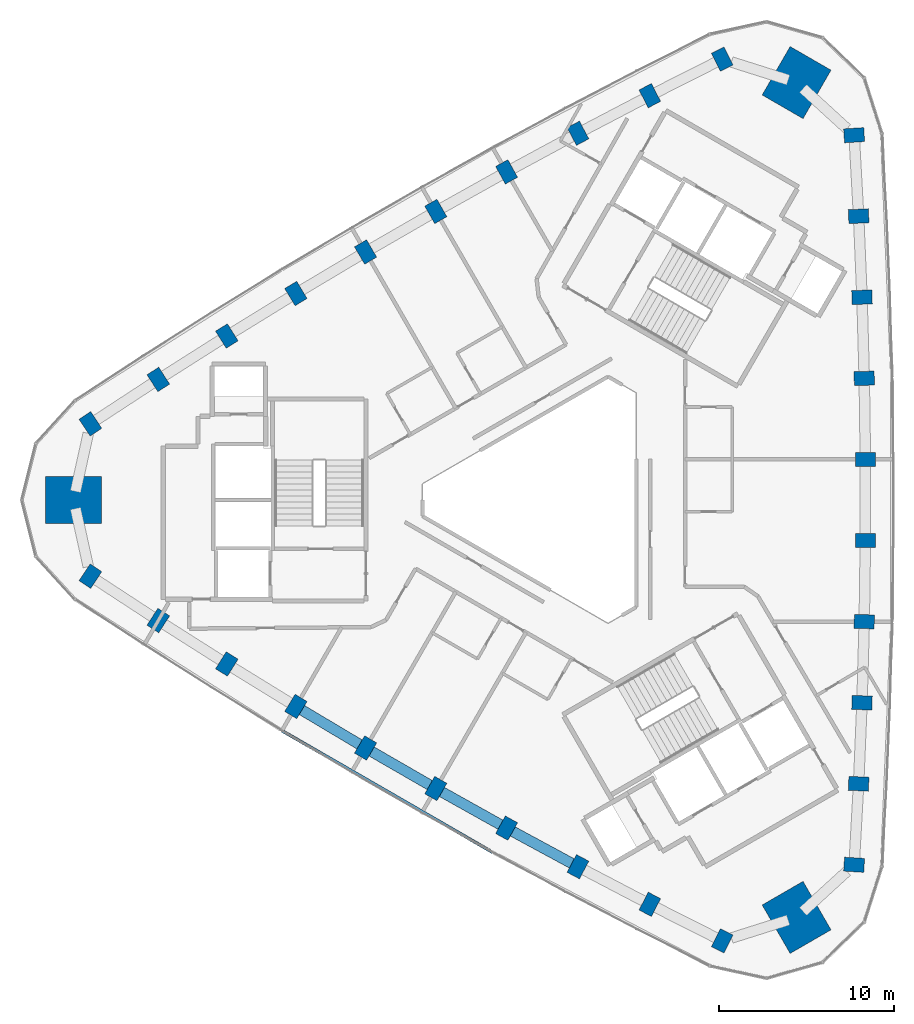
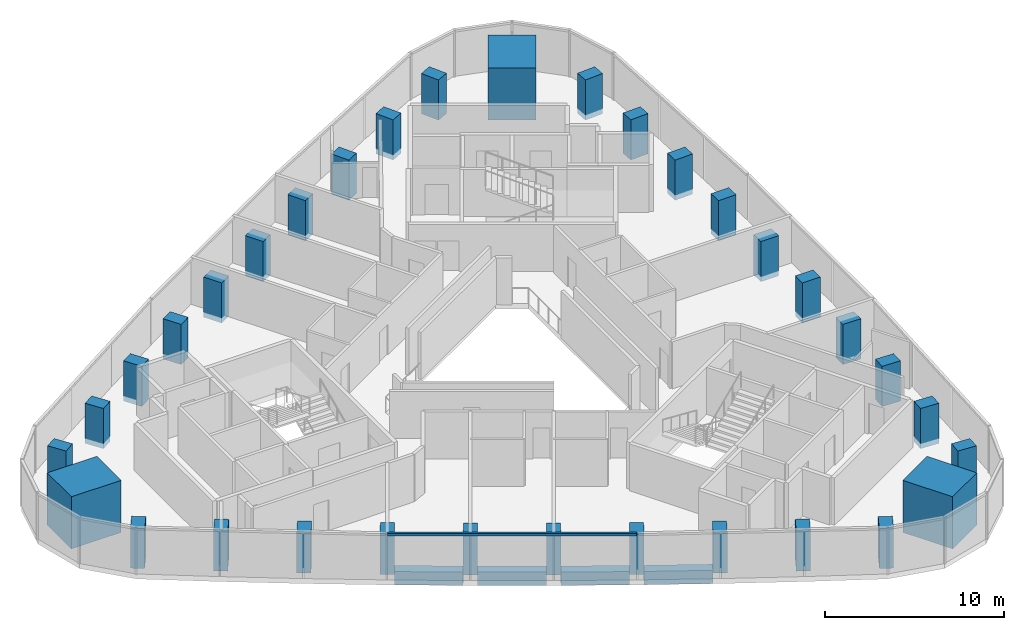
# One storey, part 1 of 11: 33 columns, 4 beams, 1 member, 1 element without a shape of its own.
"""IFC4 building model written with IfcOpenShell, lengths in metres."""

from ifc_helpers import new_model, si_unit, direction, frame, origin, origin_2d, place, context, subcontext, project, spatial, rectangle, extrude, material, material_profile, profile_set, type_object, element, aggregate, save


model = new_model("IFC4")

# Units and contexts
model_context = context("Model", 3, precision=1e-05, world=origin(), true_north=direction((0.0, 1.0)))
body_context = subcontext(model_context, "Body", "Model", "MODEL_VIEW")
ifc_project = project(units=[si_unit("LENGTHUNIT", "METRE"), si_unit("AREAUNIT", "SQUARE_METRE"), si_unit("VOLUMEUNIT", "CUBIC_METRE"), si_unit("PLANEANGLEUNIT", "RADIAN"), si_unit("MASSUNIT", "GRAM", prefix="KILO")], contexts=[model_context])

# Site, building, storey
site_placement = place(None, origin())
site = spatial("IfcSite", under=ifc_project, at=site_placement, CompositionType="ELEMENT")
building_placement = place(site_placement, origin())
building = spatial("IfcBuilding", under=site, at=building_placement, Name="Tamra Quay Hotel Tower", CompositionType="ELEMENT")
storey_placement = place(building_placement, frame((0.0, 0.0, 208.0)))
storey = spatial("IfcBuildingStorey", under=building, at=storey_placement, Name="L52", CompositionType="ELEMENT", Elevation=208.0)

# Columns
ifc_material_1 = material(Name="Concrete M70", Category="concrete")
ifc_material_profile_1 = material_profile(ifc_material_1, rectangle(XDim=1.14990234375, YDim=0.800048828125, at=origin_2d()), Name="COLUMN RC 800x1150 Z4")
ifc_profile_set_1 = profile_set([ifc_material_profile_1], Name="Concrete M70")
column_type_1 = type_object("IfcColumnType", Name="COLUMN RC 800x1150 Z4", PredefinedType="COLUMN", material=ifc_profile_set_1)
for number, where, z_axis, x_axis, name in (
    (1, (17.069580078125, -20.856201171875, -0.35009765625), (0.0, 0.0, 1.0), (-0.998081035395, 0.061921295089, 0.0), "COL-C4E01-L52"),
    (2, (17.326416015625, -16.2255859375, -0.35009765625), (0.0, 0.0, 1.0), (-0.998830734492, 0.048344222345, 0.0), "COL-C4E02-L52"),
    (3, (17.519287109375, -11.592041015625, -0.35009765625), (0.0, 0.0, 1.0), (-0.999411600314, 0.034299462929, 0.0), "COL-C4E03-L52"),
    (4, (17.648193359375, -6.955810546875, -0.35009765625), (0.0, 0.0, 1.0), (-0.99977704996, 0.021115169271, 0.0), "COL-C4E04-L52"),
    (5, (17.71240234375, -2.318603515625, -0.35009765625), (0.0, 0.0, 1.0), (-0.999975214668, 0.007040600034, 0.0), "COL-C4E05-L52"),
    (6, (17.71240234375, 2.318603515625, -0.35009765625), (0.0, 0.0, 1.0), (0.999975214668, 0.007040600034, 0.0), "COL-C4E06-L52"),
    (7, (17.648193359375, 6.955810546875, -0.35009765625), (0.0, 0.0, 1.0), (0.99977704996, 0.021115169271, 0.0), "COL-C4E07-L52"),
    (8, (17.519287109375, 11.592041015625, -0.35009765625), (0.0, 0.0, 1.0), (0.999411600314, 0.034299462929, 0.0), "COL-C4E08-L52"),
    (9, (17.326416015625, 16.2255859375, -0.35009765625), (0.0, 0.0, 1.0), (0.998830734492, 0.048344222345, 0.0), "COL-C4E09-L52"),
    (10, (17.069580078125, 20.856201171875, -0.35009765625), (0.0, 0.0, 1.0), (0.998081035395, 0.061921295089, 0.0), "COL-C4E10-L52"),
    (11, (9.527099609375, 25.210693359375, -0.35009765625), (0.0, 0.0, 1.0), (-0.445415103115, 0.895324179232, 0.0), "COL-C4NW01-L52"),
    (12, (5.388427734375, 23.117919921875, -0.35009765625), (0.0, 0.0, 1.0), (-0.457548042569, 0.889184901323, 0.0), "COL-C4NW02-L52"),
    (13, (1.279296875, 20.96826171875, -0.35009765625), (0.0, 0.0, 1.0), (-0.470001593924, 0.882665566174, 0.0), "COL-C4NW03-L52"),
    (14, (-2.80029296875, 18.76171875, -0.35009765625), (0.0, 0.0, 1.0), (-0.481602251986, 0.876389908021, 0.0), "COL-C4NW04-L52"),
    (15, (-6.84814453125, 16.498779296875, -0.35009765625), (0.0, 0.0, 1.0), (-0.493890268847, 0.869524239075, 0.0), "COL-C4NW05-L52"),
    (16, (-10.8642578125, 14.18017578125, -0.35009765625), (0.0, 0.0, 1.0), (-0.506084945822, 0.862483639041, 0.0), "COL-C4NW06-L52"),
    (17, (-14.847900390625, 11.805908203125, -0.35009765625), (0.0, 0.0, 1.0), (-0.518174797974, 0.855274738751, 0.0), "COL-C4NW07-L52"),
    (18, (-18.798583984375, 9.376220703125, -0.35009765625), (0.0, 0.0, 1.0), (-0.52941000639, 0.848366103245, 0.0), "COL-C4NW08-L52"),
    (19, (-22.71484375, 6.892333984375, -0.35009765625), (0.0, 0.0, 1.0), (-0.541282691923, 0.840840678978, 0.0), "COL-C4NW09-L52"),
    (20, (-26.5966796875, 4.3544921875, -0.35009765625), (0.0, 0.0, 1.0), (-0.55266593228, 0.833402884143, 0.0), "COL-C4NW10-L52"),
    (21, (-26.5966796875, -4.3544921875, -0.35009765625), (0.0, 0.0, 1.0), (0.55266593228, 0.833402884143, 0.0), "COL-C4SW01-L52"),
    (22, (-22.71484375, -6.892333984375, -0.35009765625), (0.0, 0.0, 1.0), (0.541282691923, 0.840840678978, 0.0), "COL-C4SW02-L52"),
    (23, (-18.798583984375, -9.376220703125, -0.35009765625), (0.0, 0.0, 1.0), (0.52941000639, 0.848366103245, 0.0), "COL-C4SW03-L52"),
    (24, (-14.847900390625, -11.805908203125, -0.35009765625), (0.0, 0.0, 1.0), (0.518174797974, 0.855274738751, 0.0), "COL-C4SW04-L52"),
    (25, (-10.8642578125, -14.18017578125, -0.35009765625), (0.0, 0.0, 1.0), (0.506084945822, 0.862483639041, 0.0), "COL-C4SW05-L52"),
    (26, (-6.84814453125, -16.498779296875, -0.35009765625), (0.0, 0.0, 1.0), (0.493890268847, 0.869524239075, 0.0), "COL-C4SW06-L52"),
    (27, (-2.80029296875, -18.76171875, -0.35009765625), (0.0, 0.0, 1.0), (0.481602251986, 0.876389908021, 0.0), "COL-C4SW07-L52"),
    (28, (1.279296875, -20.96826171875, -0.35009765625), (0.0, 0.0, 1.0), (0.470001593924, 0.882665566174, 0.0), "COL-C4SW08-L52"),
    (29, (5.388427734375, -23.117919921875, -0.35009765625), (0.0, 0.0, 1.0), (0.457548042569, 0.889184901323, 0.0), "COL-C4SW09-L52"),
    (30, (9.527099609375, -25.210693359375, -0.35009765625), (0.0, 0.0, 1.0), (0.445415103115, 0.895324179232, 0.0), "COL-C4SW10-L52"),
):
    element("IfcColumn", number, at=place(storey_placement, frame(where, z_axis=z_axis, x_axis=x_axis)), inside=storey, type_object=column_type_1, Name=name, PredefinedType="COLUMN", context=body_context, shape_type="SweptSolid", body=[
        extrude(rectangle(XDim=1.14990234375, YDim=0.800048828125, at=origin_2d()), origin(), (0.0, 0.0, 1.0), 2.736083984375),
    ])
ifc_material_profile_2 = material_profile(ifc_material_1, rectangle(XDim=3.199951171875, YDim=2.699951171875, at=origin_2d()), Name="MEGA COLUMN RC 2700x3200 Z4")
ifc_profile_set_2 = profile_set([ifc_material_profile_2], Name="Concrete M70")
column_type_2 = type_object("IfcColumnType", Name="MEGA COLUMN RC 2700x3200 Z4", PredefinedType="COLUMN", material=ifc_profile_set_2)
for number, where, z_axis, x_axis, name in (
    (31, (13.779541015625, 23.86669921875, -0.35009765625), (0.0, 0.0, 1.0), (0.5, 0.866025403784, 0.0), "COL-M4NE-L52"),
    (32, (-27.55908203125, 0.0, -0.35009765625), (0.0, 0.0, 1.0), (1.0, 0.0, 0.0), "COL-M4W-L52"),
    (33, (13.779541015625, -23.86669921875, -0.35009765625), (0.0, 0.0, 1.0), (-0.5, 0.866025403784, 0.0), "COL-M4SE-L52"),
):
    element("IfcColumn", number, at=place(storey_placement, frame(where, z_axis=z_axis, x_axis=x_axis)), inside=storey, type_object=column_type_2, Name=name, PredefinedType="COLUMN", context=body_context, shape_type="SweptSolid", body=[
        extrude(rectangle(XDim=3.199951171875, YDim=2.699951171875, at=origin_2d()), origin(), (0.0, 0.0, 1.0), 3.550048828125),
    ])

# Beams
ifc_material_2 = material(Name="Concrete M60", Category="concrete")
ifc_material_profile_3 = material_profile(ifc_material_2, rectangle(XDim=0.60009765625, YDim=0.89990234375, at=origin_2d()), Name="SPANDREL BEAM RC 600x900")
ifc_profile_set_3 = profile_set([ifc_material_profile_3], Name="Concrete M60")
beam_type = type_object("IfcBeamType", Name="SPANDREL BEAM RC 600x900", PredefinedType="SPANDREL", material=ifc_profile_set_3)
beam_1_placement = place(storey_placement, frame((-14.50439453125, -12.010498046875, -0.800048828125), z_axis=(0.858982487636, -0.512004966708, 0.0), x_axis=(0.512004966708, 0.858982487636, 0.0)))
element("IfcBeam", 34, at=beam_1_placement, inside=storey, type_object=beam_type, Name="BM-SP4-025-L52", PredefinedType="SPANDREL", context=body_context, shape_type="SweptSolid", body=[
    extrude(rectangle(XDim=0.60009765625, YDim=0.89990234375, at=origin_2d()), origin(), (0.0, 0.0, 1.0), 3.837646484375),
])
for number, where, z_axis, x_axis, name in (
    (35, (-10.517822265625, -14.380126953125, -0.800048828125), (0.866022424722, -0.500005159851, 0.0), (0.500005159851, 0.866022424722, 0.0), "BM-SP4-026-L52"),
    (36, (-6.4990234375, -16.694091796875, -0.800048828125), (0.872890885292, -0.487915466422, 0.0), (0.487915466422, 0.872890885292, 0.0), "BM-SP4-027-L52"),
):
    element("IfcBeam", number, at=place(storey_placement, frame(where, z_axis=z_axis, x_axis=x_axis)), inside=storey, type_object=beam_type, Name=name, PredefinedType="SPANDREL", context=body_context, shape_type="SweptSolid", body=[
        extrude(rectangle(XDim=0.60009765625, YDim=0.89990234375, at=origin_2d()), origin(), (0.0, 0.0, 1.0), 3.83740234375),
    ])
beam_2_placement = place(storey_placement, frame((-2.448486328125, -18.951904296875, -0.800048828125), z_axis=(0.879589264525, -0.475733881211, 0.0), x_axis=(0.475733881211, 0.879589264525, 0.0)))
element("IfcBeam", 37, at=beam_2_placement, inside=storey, type_object=beam_type, Name="BM-SP4-028-L52", PredefinedType="SPANDREL", context=body_context, shape_type="SweptSolid", body=[
    extrude(rectangle(XDim=0.60009765625, YDim=0.89990234375, at=origin_2d()), origin(), (0.0, 0.0, 1.0), 3.838134765625),
])

# Curtain wall, member
ifc_material_3 = material(Name="Aluminium 6063 anodised dark grey", Category="aluminium")
curtain_wall_type = type_object("IfcCurtainWallType", Name="CW3 CURTAIN WALL", PredefinedType="NOTDEFINED", material=ifc_material_3)
curtain_wall_placement = place(storey_placement, origin())
curtain_wall = element("IfcCurtainWall", 38, at=curtain_wall_placement, inside=storey, type_object=curtain_wall_type, Name="CW3 south-west face L52", PredefinedType="NOTDEFINED")
ifc_material_profile_4 = material_profile(ifc_material_3, rectangle(XDim=0.179931640625, YDim=0.139892578125, at=origin_2d()), Name="TRANSOM 180X140")
ifc_profile_set_4 = profile_set([ifc_material_profile_4], Name="Aluminium 6063 anodised dark grey")
member_type = type_object("IfcMemberType", Name="TRANSOM CW3 Z4", PredefinedType="USERDEFINED", material=ifc_profile_set_4)
member_placement = place(storey_placement, frame((-15.633544921875, -13.198974609375, 3.1298828125), z_axis=(0.866018612845, -0.500011762068, 0.0), x_axis=(0.500011762068, 0.866018612845, 0.0)))
member = element("IfcMember", 39, at=member_placement, type_object=member_type, Name="CW3 transom L52.SW.4", ObjectType="TRANSOM", PredefinedType="USERDEFINED", context=body_context, shape_type="SweptSolid", body=[
    extrude(rectangle(XDim=0.179931640625, YDim=0.139892578125, at=origin_2d()), origin(), (0.0, 0.0, 1.0), 13.879150390625),
])
aggregate(curtain_wall, [member])

save(model, "model.ifc")
